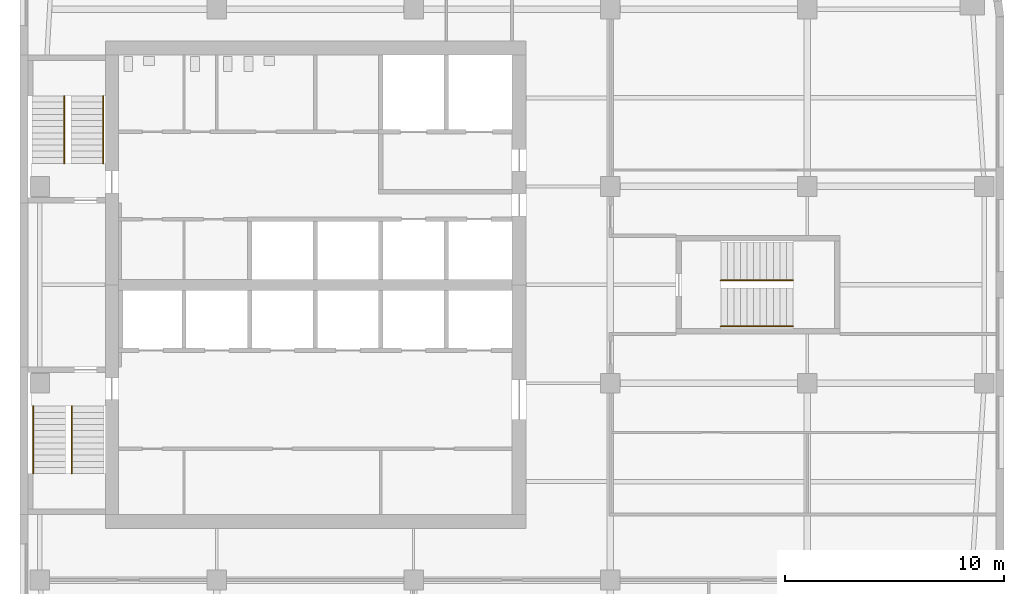
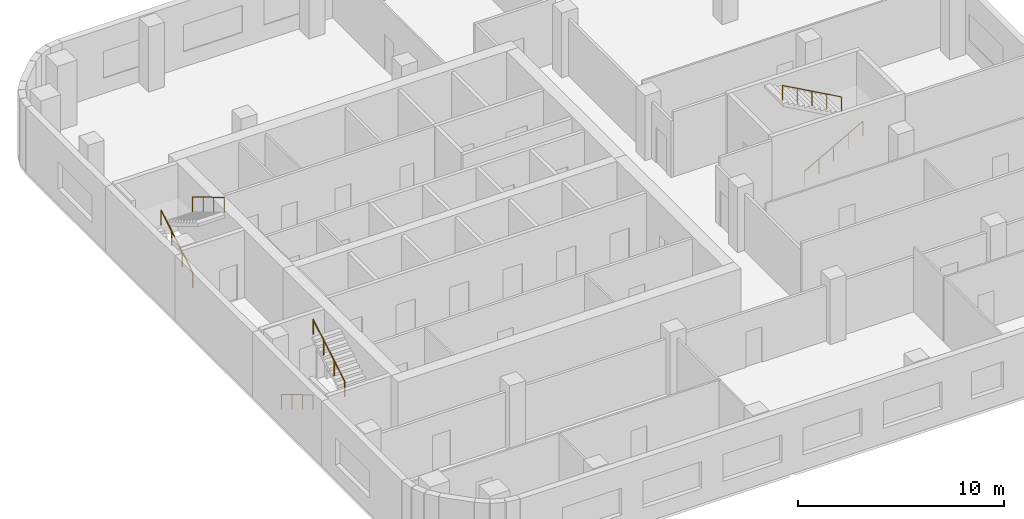
# One storey, part 6 of 7: 6 railings, 3 elements without a shape of their own.
"""IFC4 building model written with IfcOpenShell, lengths in metres."""

from ifc_helpers import new_model, si_unit, direction, frame, origin, origin_2d, place, context, subcontext, project, spatial, circle, extrude, material, type_object, element, aggregate, save


model = new_model("IFC4")

# Units and contexts
model_context = context("Model", 3, precision=1e-05, world=origin(), true_north=direction((0.0, 1.0)))
body_context = subcontext(model_context, "Body", "Model", "MODEL_VIEW")
ifc_project = project(units=[si_unit("LENGTHUNIT", "METRE"), si_unit("AREAUNIT", "SQUARE_METRE"), si_unit("VOLUMEUNIT", "CUBIC_METRE"), si_unit("PLANEANGLEUNIT", "RADIAN"), si_unit("MASSUNIT", "GRAM", prefix="KILO")], contexts=[model_context])

# Site, building, storey
site_placement = place(None, origin())
site = spatial("IfcSite", under=ifc_project, at=site_placement, CompositionType="ELEMENT")
building_placement = place(site_placement, origin())
building = spatial("IfcBuilding", under=site, at=building_placement, Name="Cinnabar Reach Civic Tower", CompositionType="ELEMENT")
storey_placement = place(building_placement, frame((0.0, 0.0, 169.0)))
storey = spatial("IfcBuildingStorey", under=building, at=storey_placement, Name="L40", CompositionType="ELEMENT", Elevation=169.0)

# Stair, railings
ifc_material_1 = material(Name="Concrete C40/50", Category="concrete")
stair_type = type_object("IfcStairType", Name="T1 Exit stair, half-turn", PredefinedType="HALF_TURN_STAIR", material=ifc_material_1)
stair_1_placement = place(storey_placement, origin())
stair_1 = element("IfcStair", 1, at=stair_1_placement, inside=storey, type_object=stair_type, Name="Stair T1-S1", PredefinedType="HALF_TURN_STAIR")
ifc_material_2 = material(Name="Stainless steel tube", Category="steel")
railing_type = type_object("IfcRailingType", Name="T1 Stair handrail, stainless tube 48", PredefinedType="HANDRAIL", material=ifc_material_2)
railing_1_placement = place(storey_placement, frame((0.6, 25.95, 0.1667)))
railing_1 = element("IfcRailing", 2, at=railing_1_placement, type_object=railing_type, Name="T1-S1 handrail 1", PredefinedType="HANDRAIL", context=body_context, shape_type="SweptSolid", body=[
    extrude(circle(Radius=0.024, at=origin_2d()), frame((0.0, 0.0, 0.876), z_axis=(0.0, -0.859296971757, 0.511476992962), x_axis=(1.0, 0.0, 0.0)), (0.0, 0.0, 1.0), 3.5843),
    extrude(circle(Radius=0.021, at=origin_2d()), origin(), (0.0, 0.0, 1.0), 0.852),
    extrude(circle(Radius=0.021, at=origin_2d()), frame((0.0, -1.0267, 0.6111)), (0.0, 0.0, 1.0), 0.852),
    extrude(circle(Radius=0.021, at=origin_2d()), frame((0.0, -2.0533, 1.2222)), (0.0, 0.0, 1.0), 0.852),
    extrude(circle(Radius=0.021, at=origin_2d()), frame((0.0, -3.08, 1.8333)), (0.0, 0.0, 1.0), 0.852),
])
railing_2_placement = place(storey_placement, frame((2.375, 22.87, 2.1667)))
railing_2 = element("IfcRailing", 3, at=railing_2_placement, type_object=railing_type, Name="T1-S1 handrail 2", PredefinedType="HANDRAIL", context=body_context, shape_type="SweptSolid", body=[
    extrude(circle(Radius=0.024, at=origin_2d()), frame((0.0, 0.0, 0.876), z_axis=(0.0, 0.859296971757, 0.511476992962), x_axis=(-1.0, 0.0, 0.0)), (0.0, 0.0, 1.0), 3.5843),
    extrude(circle(Radius=0.021, at=origin_2d()), origin(), (0.0, 0.0, 1.0), 0.852),
    extrude(circle(Radius=0.021, at=origin_2d()), frame((0.0, 1.0267, 0.6111)), (0.0, 0.0, 1.0), 0.852),
    extrude(circle(Radius=0.021, at=origin_2d()), frame((0.0, 2.0533, 1.2222)), (0.0, 0.0, 1.0), 0.852),
    extrude(circle(Radius=0.021, at=origin_2d()), frame((0.0, 3.08, 1.8333)), (0.0, 0.0, 1.0), 0.852),
])
aggregate(stair_1, [railing_1, railing_2])

stair_2_placement = place(storey_placement, origin())
stair_2 = element("IfcStair", 4, at=stair_2_placement, inside=storey, type_object=stair_type, Name="Stair T1-S2", PredefinedType="HALF_TURN_STAIR")
railing_3_placement = place(storey_placement, frame((2.025, 37.05, 0.1667)))
railing_3 = element("IfcRailing", 5, at=railing_3_placement, type_object=railing_type, Name="T1-S2 handrail 1", PredefinedType="HANDRAIL", context=body_context, shape_type="SweptSolid", body=[
    extrude(circle(Radius=0.024, at=origin_2d()), frame((0.0, 0.0, 0.876), z_axis=(0.0, 0.859296971757, 0.511476992962), x_axis=(-1.0, 0.0, 0.0)), (0.0, 0.0, 1.0), 3.5843),
    extrude(circle(Radius=0.021, at=origin_2d()), origin(), (0.0, 0.0, 1.0), 0.852),
    extrude(circle(Radius=0.021, at=origin_2d()), frame((0.0, 1.0267, 0.6111)), (0.0, 0.0, 1.0), 0.852),
    extrude(circle(Radius=0.021, at=origin_2d()), frame((0.0, 2.0533, 1.2222)), (0.0, 0.0, 1.0), 0.852),
    extrude(circle(Radius=0.021, at=origin_2d()), frame((0.0, 3.08, 1.8333)), (0.0, 0.0, 1.0), 0.852),
])
railing_4_placement = place(storey_placement, frame((3.8, 40.13, 2.1667)))
railing_4 = element("IfcRailing", 6, at=railing_4_placement, type_object=railing_type, Name="T1-S2 handrail 2", PredefinedType="HANDRAIL", context=body_context, shape_type="SweptSolid", body=[
    extrude(circle(Radius=0.024, at=origin_2d()), frame((0.0, 0.0, 0.876), z_axis=(0.0, -0.859296971757, 0.511476992962), x_axis=(1.0, 0.0, 0.0)), (0.0, 0.0, 1.0), 3.5843),
    extrude(circle(Radius=0.021, at=origin_2d()), origin(), (0.0, 0.0, 1.0), 0.852),
    extrude(circle(Radius=0.021, at=origin_2d()), frame((0.0, -1.0267, 0.6111)), (0.0, 0.0, 1.0), 0.852),
    extrude(circle(Radius=0.021, at=origin_2d()), frame((0.0, -2.0533, 1.2222)), (0.0, 0.0, 1.0), 0.852),
    extrude(circle(Radius=0.021, at=origin_2d()), frame((0.0, -3.08, 1.8333)), (0.0, 0.0, 1.0), 0.852),
])
aggregate(stair_2, [railing_3, railing_4])

stair_3_placement = place(storey_placement, origin())
stair_3 = element("IfcStair", 7, at=stair_3_placement, inside=storey, type_object=stair_type, Name="Stair T1-S3", PredefinedType="HALF_TURN_STAIR")
railing_5_placement = place(storey_placement, frame((32.05, 29.6, 0.1667)))
railing_5 = element("IfcRailing", 8, at=railing_5_placement, type_object=railing_type, Name="T1-S3 handrail 1", PredefinedType="HANDRAIL", context=body_context, shape_type="SweptSolid", body=[
    extrude(circle(Radius=0.024, at=origin_2d()), frame((0.0, 0.0, 0.876), z_axis=(0.874161024642, 0.0, 0.485636183781), x_axis=(0.0, 1.0, 0.0)), (0.0, 0.0, 1.0), 3.775),
    extrude(circle(Radius=0.021, at=origin_2d()), origin(), (0.0, 0.0, 1.0), 0.852),
    extrude(circle(Radius=0.021, at=origin_2d()), frame((0.825, 0.0, 0.4583)), (0.0, 0.0, 1.0), 0.852),
    extrude(circle(Radius=0.021, at=origin_2d()), frame((1.65, 0.0, 0.9167)), (0.0, 0.0, 1.0), 0.852),
    extrude(circle(Radius=0.021, at=origin_2d()), frame((2.475, 0.0, 1.375)), (0.0, 0.0, 1.0), 0.852),
    extrude(circle(Radius=0.021, at=origin_2d()), frame((3.3, 0.0, 1.8333)), (0.0, 0.0, 1.0), 0.852),
])
railing_6_placement = place(storey_placement, frame((35.35, 31.7, 2.1667)))
railing_6 = element("IfcRailing", 9, at=railing_6_placement, type_object=railing_type, Name="T1-S3 handrail 2", PredefinedType="HANDRAIL", context=body_context, shape_type="SweptSolid", body=[
    extrude(circle(Radius=0.024, at=origin_2d()), frame((0.0, 0.0, 0.876), z_axis=(-0.874161024642, 0.0, 0.485636183781), x_axis=(0.0, -1.0, 0.0)), (0.0, 0.0, 1.0), 3.775),
    extrude(circle(Radius=0.021, at=origin_2d()), origin(), (0.0, 0.0, 1.0), 0.852),
    extrude(circle(Radius=0.021, at=origin_2d()), frame((-0.825, 0.0, 0.4583)), (0.0, 0.0, 1.0), 0.852),
    extrude(circle(Radius=0.021, at=origin_2d()), frame((-1.65, 0.0, 0.9167)), (0.0, 0.0, 1.0), 0.852),
    extrude(circle(Radius=0.021, at=origin_2d()), frame((-2.475, 0.0, 1.375)), (0.0, 0.0, 1.0), 0.852),
    extrude(circle(Radius=0.021, at=origin_2d()), frame((-3.3, 0.0, 1.8333)), (0.0, 0.0, 1.0), 0.852),
])
aggregate(stair_3, [railing_5, railing_6])

save(model, "model.ifc")
